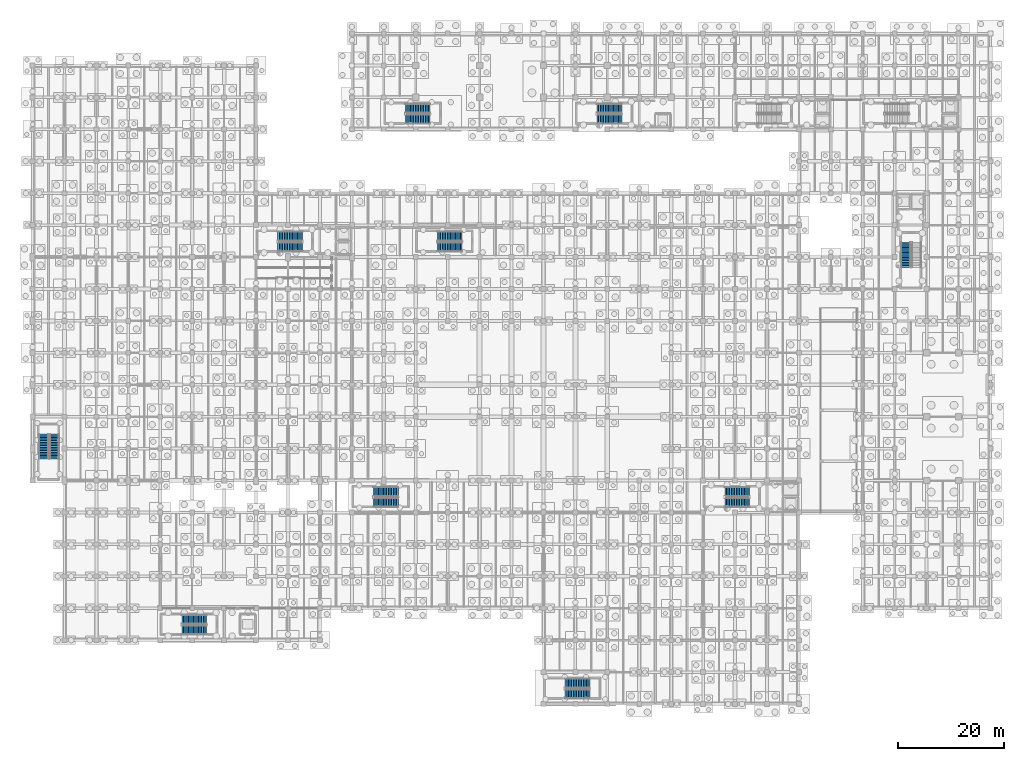
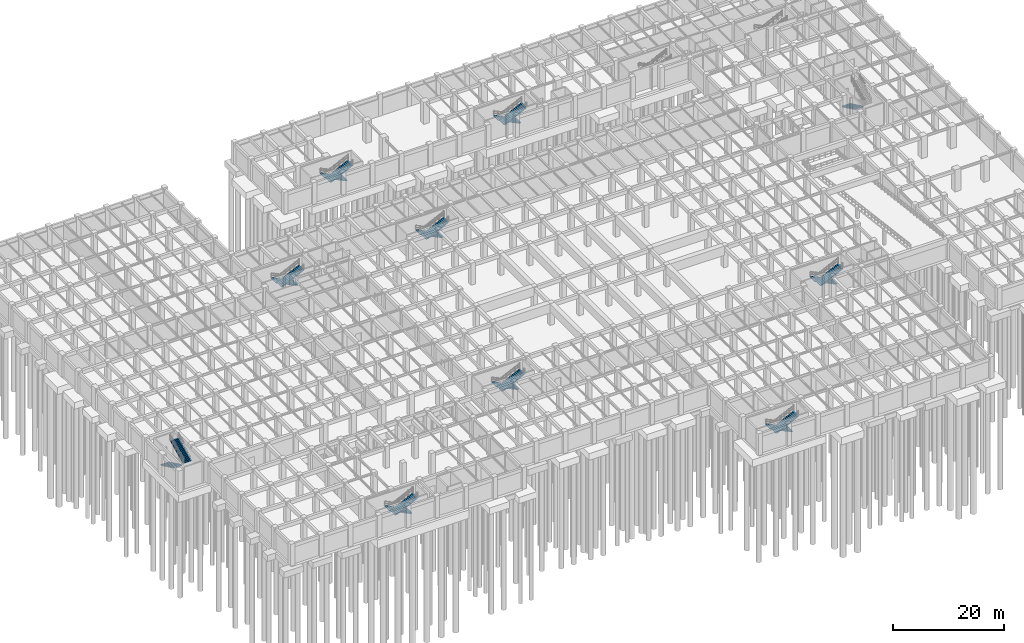
# One storey, part 46 of 54: 19 stair flights, 10 elements without a shape of their own.
"""IFC4 building model written with IfcOpenShell, lengths in metres."""

from ifc_helpers import new_model, si_unit, direction, frame, origin, place, context, subcontext, project, spatial, polyline, outline, extrude, material, type_object, element, aggregate, save


model = new_model("IFC4")

# Units and contexts
model_context = context("Model", 3, precision=1e-05, world=origin(), true_north=direction((0.0, 1.0)))
body_context = subcontext(model_context, "Body", "Model", "MODEL_VIEW")
ifc_project = project(units=[si_unit("LENGTHUNIT", "METRE"), si_unit("AREAUNIT", "SQUARE_METRE"), si_unit("VOLUMEUNIT", "CUBIC_METRE"), si_unit("PLANEANGLEUNIT", "RADIAN"), si_unit("MASSUNIT", "GRAM", prefix="KILO"), si_unit("THERMODYNAMICTEMPERATUREUNIT", "KELVIN"), si_unit("POWERUNIT", "WATT")], contexts=[model_context])

# Site, building, storey
site_placement = place(None, origin())
site = spatial("IfcSite", under=ifc_project, at=site_placement, CompositionType="ELEMENT")
building_placement = place(site_placement, origin())
building = spatial("IfcBuilding", under=site, at=building_placement, Name="Phaisarnlok Congress Hotel", CompositionType="ELEMENT")
storey_placement = place(building_placement, frame((0.0, 0.0, -4.800048828125)))
storey = spatial("IfcBuildingStorey", under=building, at=storey_placement, Name="B01", CompositionType="ELEMENT", Elevation=-4.800048828125)

# Stair, stair flights
ifc_material = material(Name="Concrete C40/50", Category="concrete")
stair_type = type_object("IfcStairType", Name="STR-DOG-01", PredefinedType="HALF_TURN_STAIR", material=ifc_material)
stair_1_placement = place(storey_placement, origin())
stair_1 = element("IfcStair", 1, at=stair_1_placement, inside=storey, type_object=stair_type, Name="B01 ST-01", PredefinedType="HALF_TURN_STAIR")
stair_flight_type = type_object("IfcStairFlightType", Name="SFL-RC-01", PredefinedType="STRAIGHT", material=ifc_material)
stair_flight_1_placement = place(storey_placement, frame((50.719970703125, 87.909912109375, 0.0), z_axis=(0.0, 0.0, 1.0), x_axis=(-1.0, 0.0, 0.0)))
stair_flight_1 = element("IfcStairFlight", 2, at=stair_flight_1_placement, type_object=stair_flight_type, Name="ST-01 flight 1", NumberOfRisers=16, NumberOfTreads=15, PredefinedType="STRAIGHT", RiserHeight=0.15, TreadLength=0.31, context=body_context, shape_type="SweptSolid", body=[
    extrude(outline(polyline([(0.0, 0.0), (0.0, 0.14990234375), (0.31005859375, 0.14990234375), (0.31005859375, 0.300048828125), (0.6201171875, 0.300048828125), (0.6201171875, 0.449951171875), (0.929931640625, 0.449951171875), (0.929931640625, 0.60009765625), (1.239990234375, 0.60009765625), (1.239990234375, 0.75), (1.550048828125, 0.75), (1.550048828125, 0.89990234375), (1.860107421875, 0.89990234375), (1.860107421875, 1.050048828125), (2.169921875, 1.050048828125), (2.169921875, 1.199951171875), (2.47998046875, 1.199951171875), (2.47998046875, 1.35009765625), (2.7900390625, 1.35009765625), (2.7900390625, 1.5), (3.10009765625, 1.5), (3.10009765625, 1.64990234375), (3.409912109375, 1.64990234375), (3.409912109375, 1.800048828125), (3.719970703125, 1.800048828125), (3.719970703125, 1.949951171875), (4.030029296875, 1.949951171875), (4.030029296875, 2.10009765625), (4.340087890625, 2.10009765625), (4.340087890625, 2.25), (4.64990234375, 2.25), (4.64990234375, 2.39990234375), (4.64990234375, 2.08349609375), (0.34423828125, 0.0), (0.0, 0.0)])), frame((0.0, 0.89013671875, 0.0), z_axis=(0.0, -1.0, 0.0), x_axis=(1.0, 0.0, 0.0)), (0.0, 0.0, 1.0), 1.780029296875),
])
stair_flight_2_placement = place(storey_placement, frame((46.070068359375, 85.889892578125, 2.400146484375), z_axis=(0.0, 0.0, 1.0), x_axis=(1.0, 0.0, 0.0)))
stair_flight_2 = element("IfcStairFlight", 3, at=stair_flight_2_placement, type_object=stair_flight_type, Name="ST-01 flight 2", NumberOfRisers=16, NumberOfTreads=15, PredefinedType="STRAIGHT", RiserHeight=0.15, TreadLength=0.31, context=body_context, shape_type="SweptSolid", body=[
    extrude(outline(polyline([(0.0, 0.0), (0.0, 0.14990234375), (0.31005859375, 0.14990234375), (0.31005859375, 0.300048828125), (0.6201171875, 0.300048828125), (0.6201171875, 0.449951171875), (0.929931640625, 0.449951171875), (0.929931640625, 0.60009765625), (1.239990234375, 0.60009765625), (1.239990234375, 0.75), (1.550048828125, 0.75), (1.550048828125, 0.89990234375), (1.860107421875, 0.89990234375), (1.860107421875, 1.050048828125), (2.169921875, 1.050048828125), (2.169921875, 1.199951171875), (2.47998046875, 1.199951171875), (2.47998046875, 1.35009765625), (2.7900390625, 1.35009765625), (2.7900390625, 1.5), (3.10009765625, 1.5), (3.10009765625, 1.64990234375), (3.409912109375, 1.64990234375), (3.409912109375, 1.800048828125), (3.719970703125, 1.800048828125), (3.719970703125, 1.949951171875), (4.030029296875, 1.949951171875), (4.030029296875, 2.10009765625), (4.340087890625, 2.10009765625), (4.340087890625, 2.25), (4.64990234375, 2.25), (4.64990234375, 2.39990234375), (4.64990234375, 2.08349609375), (0.34423828125, 0.0), (0.0, 0.0)])), frame((0.0, 0.89013671875, 0.0), z_axis=(0.0, -1.0, 0.0), x_axis=(1.0, 0.0, 0.0)), (0.0, 0.0, 1.0), 1.780029296875),
])
aggregate(stair_1, [stair_flight_1, stair_flight_2])

stair_2_placement = place(storey_placement, origin())
stair_2 = element("IfcStair", 4, at=stair_2_placement, inside=storey, type_object=stair_type, Name="B01 ST-02", PredefinedType="HALF_TURN_STAIR")
stair_flight_3_placement = place(storey_placement, frame((134.719970703125, 39.909912109375, 0.0), z_axis=(0.0, 0.0, 1.0), x_axis=(-1.0, 0.0, 0.0)))
stair_flight_3 = element("IfcStairFlight", 5, at=stair_flight_3_placement, type_object=stair_flight_type, Name="ST-02 flight 1", NumberOfRisers=16, NumberOfTreads=15, PredefinedType="STRAIGHT", RiserHeight=0.15, TreadLength=0.31, context=body_context, shape_type="SweptSolid", body=[
    extrude(outline(polyline([(0.0, 0.0), (0.0, 0.14990234375), (0.31005859375, 0.14990234375), (0.31005859375, 0.300048828125), (0.6201171875, 0.300048828125), (0.6201171875, 0.449951171875), (0.929931640625, 0.449951171875), (0.929931640625, 0.60009765625), (1.239990234375, 0.60009765625), (1.239990234375, 0.75), (1.550048828125, 0.75), (1.550048828125, 0.89990234375), (1.860107421875, 0.89990234375), (1.860107421875, 1.050048828125), (2.169921875, 1.050048828125), (2.169921875, 1.199951171875), (2.47998046875, 1.199951171875), (2.47998046875, 1.35009765625), (2.7900390625, 1.35009765625), (2.7900390625, 1.5), (3.10009765625, 1.5), (3.10009765625, 1.64990234375), (3.409912109375, 1.64990234375), (3.409912109375, 1.800048828125), (3.719970703125, 1.800048828125), (3.719970703125, 1.949951171875), (4.030029296875, 1.949951171875), (4.030029296875, 2.10009765625), (4.340087890625, 2.10009765625), (4.340087890625, 2.25), (4.64990234375, 2.25), (4.64990234375, 2.39990234375), (4.64990234375, 2.08349609375), (0.34423828125, 0.0), (0.0, 0.0)])), frame((0.0, 0.89013671875, 0.0), z_axis=(0.0, -1.0, 0.0), x_axis=(1.0, 0.0, 0.0)), (0.0, 0.0, 1.0), 1.780029296875),
])
stair_flight_4_placement = place(storey_placement, frame((130.070068359375, 37.889892578125, 2.400146484375), z_axis=(0.0, 0.0, 1.0), x_axis=(1.0, 0.0, 0.0)))
stair_flight_4 = element("IfcStairFlight", 6, at=stair_flight_4_placement, type_object=stair_flight_type, Name="ST-02 flight 2", NumberOfRisers=16, NumberOfTreads=15, PredefinedType="STRAIGHT", RiserHeight=0.15, TreadLength=0.31, context=body_context, shape_type="SweptSolid", body=[
    extrude(outline(polyline([(0.0, 0.0), (0.0, 0.14990234375), (0.31005859375, 0.14990234375), (0.31005859375, 0.300048828125), (0.6201171875, 0.300048828125), (0.6201171875, 0.449951171875), (0.929931640625, 0.449951171875), (0.929931640625, 0.60009765625), (1.239990234375, 0.60009765625), (1.239990234375, 0.75), (1.550048828125, 0.75), (1.550048828125, 0.89990234375), (1.860107421875, 0.89990234375), (1.860107421875, 1.050048828125), (2.169921875, 1.050048828125), (2.169921875, 1.199951171875), (2.47998046875, 1.199951171875), (2.47998046875, 1.35009765625), (2.7900390625, 1.35009765625), (2.7900390625, 1.5), (3.10009765625, 1.5), (3.10009765625, 1.64990234375), (3.409912109375, 1.64990234375), (3.409912109375, 1.800048828125), (3.719970703125, 1.800048828125), (3.719970703125, 1.949951171875), (4.030029296875, 1.949951171875), (4.030029296875, 2.10009765625), (4.340087890625, 2.10009765625), (4.340087890625, 2.25), (4.64990234375, 2.25), (4.64990234375, 2.39990234375), (4.64990234375, 2.08349609375), (0.34423828125, 0.0), (0.0, 0.0)])), frame((0.0, 0.89013671875, 0.0), z_axis=(0.0, -1.0, 0.0), x_axis=(1.0, 0.0, 0.0)), (0.0, 0.0, 1.0), 1.780029296875),
])
aggregate(stair_2, [stair_flight_3, stair_flight_4])

stair_3_placement = place(storey_placement, origin())
stair_3 = element("IfcStair", 7, at=stair_3_placement, inside=storey, type_object=stair_type, Name="B01 ST-03", PredefinedType="HALF_TURN_STAIR")
stair_flight_5_placement = place(storey_placement, frame((2.090087890625, 50.719970703125, 0.0), z_axis=(0.0, 0.0, 1.0), x_axis=(0.0, -1.0, 0.0)))
stair_flight_5 = element("IfcStairFlight", 8, at=stair_flight_5_placement, type_object=stair_flight_type, Name="ST-03 flight 1", NumberOfRisers=16, NumberOfTreads=15, PredefinedType="STRAIGHT", RiserHeight=0.15, TreadLength=0.31, context=body_context, shape_type="SweptSolid", body=[
    extrude(outline(polyline([(0.0, 0.0), (0.0, 0.14990234375), (0.31005859375, 0.14990234375), (0.31005859375, 0.300048828125), (0.6201171875, 0.300048828125), (0.6201171875, 0.449951171875), (0.929931640625, 0.449951171875), (0.929931640625, 0.60009765625), (1.239990234375, 0.60009765625), (1.239990234375, 0.75), (1.550048828125, 0.75), (1.550048828125, 0.89990234375), (1.860107421875, 0.89990234375), (1.860107421875, 1.050048828125), (2.169921875, 1.050048828125), (2.169921875, 1.199951171875), (2.47998046875, 1.199951171875), (2.47998046875, 1.35009765625), (2.7900390625, 1.35009765625), (2.7900390625, 1.5), (3.10009765625, 1.5), (3.10009765625, 1.64990234375), (3.409912109375, 1.64990234375), (3.409912109375, 1.800048828125), (3.719970703125, 1.800048828125), (3.719970703125, 1.949951171875), (4.030029296875, 1.949951171875), (4.030029296875, 2.10009765625), (4.340087890625, 2.10009765625), (4.340087890625, 2.25), (4.64990234375, 2.25), (4.64990234375, 2.39990234375), (4.64990234375, 2.08349609375), (0.34423828125, 0.0), (0.0, 0.0)])), frame((0.0, 0.89013671875, 0.0), z_axis=(0.0, -1.0, 0.0), x_axis=(1.0, 0.0, 0.0)), (0.0, 0.0, 1.0), 1.780029296875),
])
stair_flight_6_placement = place(storey_placement, frame((4.110107421875, 46.070068359375, 2.400146484375), z_axis=(0.0, 0.0, 1.0), x_axis=(0.0, 1.0, 0.0)))
stair_flight_6 = element("IfcStairFlight", 9, at=stair_flight_6_placement, type_object=stair_flight_type, Name="ST-03 flight 2", NumberOfRisers=16, NumberOfTreads=15, PredefinedType="STRAIGHT", RiserHeight=0.15, TreadLength=0.31, context=body_context, shape_type="SweptSolid", body=[
    extrude(outline(polyline([(0.0, 0.0), (0.0, 0.14990234375), (0.31005859375, 0.14990234375), (0.31005859375, 0.300048828125), (0.6201171875, 0.300048828125), (0.6201171875, 0.449951171875), (0.929931640625, 0.449951171875), (0.929931640625, 0.60009765625), (1.239990234375, 0.60009765625), (1.239990234375, 0.75), (1.550048828125, 0.75), (1.550048828125, 0.89990234375), (1.860107421875, 0.89990234375), (1.860107421875, 1.050048828125), (2.169921875, 1.050048828125), (2.169921875, 1.199951171875), (2.47998046875, 1.199951171875), (2.47998046875, 1.35009765625), (2.7900390625, 1.35009765625), (2.7900390625, 1.5), (3.10009765625, 1.5), (3.10009765625, 1.64990234375), (3.409912109375, 1.64990234375), (3.409912109375, 1.800048828125), (3.719970703125, 1.800048828125), (3.719970703125, 1.949951171875), (4.030029296875, 1.949951171875), (4.030029296875, 2.10009765625), (4.340087890625, 2.10009765625), (4.340087890625, 2.25), (4.64990234375, 2.25), (4.64990234375, 2.39990234375), (4.64990234375, 2.08349609375), (0.34423828125, 0.0), (0.0, 0.0)])), frame((0.0, 0.89013671875, 0.0), z_axis=(0.0, -1.0, 0.0), x_axis=(1.0, 0.0, 0.0)), (0.0, 0.0, 1.0), 1.780029296875),
])
aggregate(stair_3, [stair_flight_5, stair_flight_6])

stair_4_placement = place(storey_placement, origin())
stair_4 = element("IfcStair", 10, at=stair_4_placement, inside=storey, type_object=stair_type, Name="B01 ST-04", PredefinedType="HALF_TURN_STAIR")
stair_flight_7_placement = place(storey_placement, frame((104.719970703125, 3.909912109375, 0.0), z_axis=(0.0, 0.0, 1.0), x_axis=(-1.0, 0.0, 0.0)))
stair_flight_7 = element("IfcStairFlight", 11, at=stair_flight_7_placement, type_object=stair_flight_type, Name="ST-04 flight 1", NumberOfRisers=16, NumberOfTreads=15, PredefinedType="STRAIGHT", RiserHeight=0.15, TreadLength=0.31, context=body_context, shape_type="SweptSolid", body=[
    extrude(outline(polyline([(0.0, 0.0), (0.0, 0.14990234375), (0.31005859375, 0.14990234375), (0.31005859375, 0.300048828125), (0.6201171875, 0.300048828125), (0.6201171875, 0.449951171875), (0.929931640625, 0.449951171875), (0.929931640625, 0.60009765625), (1.239990234375, 0.60009765625), (1.239990234375, 0.75), (1.550048828125, 0.75), (1.550048828125, 0.89990234375), (1.860107421875, 0.89990234375), (1.860107421875, 1.050048828125), (2.169921875, 1.050048828125), (2.169921875, 1.199951171875), (2.47998046875, 1.199951171875), (2.47998046875, 1.35009765625), (2.7900390625, 1.35009765625), (2.7900390625, 1.5), (3.10009765625, 1.5), (3.10009765625, 1.64990234375), (3.409912109375, 1.64990234375), (3.409912109375, 1.800048828125), (3.719970703125, 1.800048828125), (3.719970703125, 1.949951171875), (4.030029296875, 1.949951171875), (4.030029296875, 2.10009765625), (4.340087890625, 2.10009765625), (4.340087890625, 2.25), (4.64990234375, 2.25), (4.64990234375, 2.39990234375), (4.64990234375, 2.08349609375), (0.34423828125, 0.0), (0.0, 0.0)])), frame((0.0, 0.89013671875, 0.0), z_axis=(0.0, -1.0, 0.0), x_axis=(1.0, 0.0, 0.0)), (0.0, 0.0, 1.0), 1.780029296875),
])
stair_flight_8_placement = place(storey_placement, frame((100.070068359375, 1.889892578125, 2.400146484375), z_axis=(0.0, 0.0, 1.0), x_axis=(1.0, 0.0, 0.0)))
stair_flight_8 = element("IfcStairFlight", 12, at=stair_flight_8_placement, type_object=stair_flight_type, Name="ST-04 flight 2", NumberOfRisers=16, NumberOfTreads=15, PredefinedType="STRAIGHT", RiserHeight=0.15, TreadLength=0.31, context=body_context, shape_type="SweptSolid", body=[
    extrude(outline(polyline([(0.0, 0.0), (0.0, 0.14990234375), (0.31005859375, 0.14990234375), (0.31005859375, 0.300048828125), (0.6201171875, 0.300048828125), (0.6201171875, 0.449951171875), (0.929931640625, 0.449951171875), (0.929931640625, 0.60009765625), (1.239990234375, 0.60009765625), (1.239990234375, 0.75), (1.550048828125, 0.75), (1.550048828125, 0.89990234375), (1.860107421875, 0.89990234375), (1.860107421875, 1.050048828125), (2.169921875, 1.050048828125), (2.169921875, 1.199951171875), (2.47998046875, 1.199951171875), (2.47998046875, 1.35009765625), (2.7900390625, 1.35009765625), (2.7900390625, 1.5), (3.10009765625, 1.5), (3.10009765625, 1.64990234375), (3.409912109375, 1.64990234375), (3.409912109375, 1.800048828125), (3.719970703125, 1.800048828125), (3.719970703125, 1.949951171875), (4.030029296875, 1.949951171875), (4.030029296875, 2.10009765625), (4.340087890625, 2.10009765625), (4.340087890625, 2.25), (4.64990234375, 2.25), (4.64990234375, 2.39990234375), (4.64990234375, 2.08349609375), (0.34423828125, 0.0), (0.0, 0.0)])), frame((0.0, 0.89013671875, 0.0), z_axis=(0.0, -1.0, 0.0), x_axis=(1.0, 0.0, 0.0)), (0.0, 0.0, 1.0), 1.780029296875),
])
aggregate(stair_4, [stair_flight_7, stair_flight_8])

stair_5_placement = place(storey_placement, origin())
stair_5 = element("IfcStair", 13, at=stair_5_placement, inside=storey, type_object=stair_type, Name="B01 ST-07", PredefinedType="HALF_TURN_STAIR")
stair_flight_9_placement = place(storey_placement, frame((110.719970703125, 111.909912109375, 0.0), z_axis=(0.0, 0.0, 1.0), x_axis=(-1.0, 0.0, 0.0)))
stair_flight_9 = element("IfcStairFlight", 14, at=stair_flight_9_placement, type_object=stair_flight_type, Name="ST-07 flight 1", NumberOfRisers=16, NumberOfTreads=15, PredefinedType="STRAIGHT", RiserHeight=0.15, TreadLength=0.31, context=body_context, shape_type="SweptSolid", body=[
    extrude(outline(polyline([(0.0, 0.0), (0.0, 0.14990234375), (0.31005859375, 0.14990234375), (0.31005859375, 0.300048828125), (0.6201171875, 0.300048828125), (0.6201171875, 0.449951171875), (0.929931640625, 0.449951171875), (0.929931640625, 0.60009765625), (1.239990234375, 0.60009765625), (1.239990234375, 0.75), (1.550048828125, 0.75), (1.550048828125, 0.89990234375), (1.860107421875, 0.89990234375), (1.860107421875, 1.050048828125), (2.169921875, 1.050048828125), (2.169921875, 1.199951171875), (2.47998046875, 1.199951171875), (2.47998046875, 1.35009765625), (2.7900390625, 1.35009765625), (2.7900390625, 1.5), (3.10009765625, 1.5), (3.10009765625, 1.64990234375), (3.409912109375, 1.64990234375), (3.409912109375, 1.800048828125), (3.719970703125, 1.800048828125), (3.719970703125, 1.949951171875), (4.030029296875, 1.949951171875), (4.030029296875, 2.10009765625), (4.340087890625, 2.10009765625), (4.340087890625, 2.25), (4.64990234375, 2.25), (4.64990234375, 2.39990234375), (4.64990234375, 2.08349609375), (0.34423828125, 0.0), (0.0, 0.0)])), frame((0.0, 0.89013671875, 0.0), z_axis=(0.0, -1.0, 0.0), x_axis=(1.0, 0.0, 0.0)), (0.0, 0.0, 1.0), 1.780029296875),
])
stair_flight_10_placement = place(storey_placement, frame((106.070068359375, 109.889892578125, 2.400146484375), z_axis=(0.0, 0.0, 1.0), x_axis=(1.0, 0.0, 0.0)))
stair_flight_10 = element("IfcStairFlight", 15, at=stair_flight_10_placement, type_object=stair_flight_type, Name="ST-07 flight 2", NumberOfRisers=16, NumberOfTreads=15, PredefinedType="STRAIGHT", RiserHeight=0.15, TreadLength=0.31, context=body_context, shape_type="SweptSolid", body=[
    extrude(outline(polyline([(0.0, 0.0), (0.0, 0.14990234375), (0.31005859375, 0.14990234375), (0.31005859375, 0.300048828125), (0.6201171875, 0.300048828125), (0.6201171875, 0.449951171875), (0.929931640625, 0.449951171875), (0.929931640625, 0.60009765625), (1.239990234375, 0.60009765625), (1.239990234375, 0.75), (1.550048828125, 0.75), (1.550048828125, 0.89990234375), (1.860107421875, 0.89990234375), (1.860107421875, 1.050048828125), (2.169921875, 1.050048828125), (2.169921875, 1.199951171875), (2.47998046875, 1.199951171875), (2.47998046875, 1.35009765625), (2.7900390625, 1.35009765625), (2.7900390625, 1.5), (3.10009765625, 1.5), (3.10009765625, 1.64990234375), (3.409912109375, 1.64990234375), (3.409912109375, 1.800048828125), (3.719970703125, 1.800048828125), (3.719970703125, 1.949951171875), (4.030029296875, 1.949951171875), (4.030029296875, 2.10009765625), (4.340087890625, 2.10009765625), (4.340087890625, 2.25), (4.64990234375, 2.25), (4.64990234375, 2.39990234375), (4.64990234375, 2.08349609375), (0.34423828125, 0.0), (0.0, 0.0)])), frame((0.0, 0.89013671875, 0.0), z_axis=(0.0, -1.0, 0.0), x_axis=(1.0, 0.0, 0.0)), (0.0, 0.0, 1.0), 1.780029296875),
])
aggregate(stair_5, [stair_flight_9, stair_flight_10])

stair_6_placement = place(storey_placement, origin())
stair_6 = element("IfcStair", 16, at=stair_6_placement, inside=storey, type_object=stair_type, Name="B01 ST-08", PredefinedType="HALF_TURN_STAIR")
stair_flight_11_placement = place(storey_placement, frame((32.719970703125, 15.909912109375, 0.0), z_axis=(0.0, 0.0, 1.0), x_axis=(-1.0, 0.0, 0.0)))
stair_flight_11 = element("IfcStairFlight", 17, at=stair_flight_11_placement, type_object=stair_flight_type, Name="ST-08 flight 1", NumberOfRisers=16, NumberOfTreads=15, PredefinedType="STRAIGHT", RiserHeight=0.15, TreadLength=0.31, context=body_context, shape_type="SweptSolid", body=[
    extrude(outline(polyline([(0.0, 0.0), (0.0, 0.14990234375), (0.31005859375, 0.14990234375), (0.31005859375, 0.300048828125), (0.6201171875, 0.300048828125), (0.6201171875, 0.449951171875), (0.929931640625, 0.449951171875), (0.929931640625, 0.60009765625), (1.239990234375, 0.60009765625), (1.239990234375, 0.75), (1.550048828125, 0.75), (1.550048828125, 0.89990234375), (1.860107421875, 0.89990234375), (1.860107421875, 1.050048828125), (2.169921875, 1.050048828125), (2.169921875, 1.199951171875), (2.47998046875, 1.199951171875), (2.47998046875, 1.35009765625), (2.7900390625, 1.35009765625), (2.7900390625, 1.5), (3.10009765625, 1.5), (3.10009765625, 1.64990234375), (3.409912109375, 1.64990234375), (3.409912109375, 1.800048828125), (3.719970703125, 1.800048828125), (3.719970703125, 1.949951171875), (4.030029296875, 1.949951171875), (4.030029296875, 2.10009765625), (4.340087890625, 2.10009765625), (4.340087890625, 2.25), (4.64990234375, 2.25), (4.64990234375, 2.39990234375), (4.64990234375, 2.08349609375), (0.34423828125, 0.0), (0.0, 0.0)])), frame((0.0, 0.89013671875, 0.0), z_axis=(0.0, -1.0, 0.0), x_axis=(1.0, 0.0, 0.0)), (0.0, 0.0, 1.0), 1.780029296875),
])
stair_flight_12_placement = place(storey_placement, frame((28.070068359375, 13.889892578125, 2.400146484375), z_axis=(0.0, 0.0, 1.0), x_axis=(1.0, 0.0, 0.0)))
stair_flight_12 = element("IfcStairFlight", 18, at=stair_flight_12_placement, type_object=stair_flight_type, Name="ST-08 flight 2", NumberOfRisers=16, NumberOfTreads=15, PredefinedType="STRAIGHT", RiserHeight=0.15, TreadLength=0.31, context=body_context, shape_type="SweptSolid", body=[
    extrude(outline(polyline([(0.0, 0.0), (0.0, 0.14990234375), (0.31005859375, 0.14990234375), (0.31005859375, 0.300048828125), (0.6201171875, 0.300048828125), (0.6201171875, 0.449951171875), (0.929931640625, 0.449951171875), (0.929931640625, 0.60009765625), (1.239990234375, 0.60009765625), (1.239990234375, 0.75), (1.550048828125, 0.75), (1.550048828125, 0.89990234375), (1.860107421875, 0.89990234375), (1.860107421875, 1.050048828125), (2.169921875, 1.050048828125), (2.169921875, 1.199951171875), (2.47998046875, 1.199951171875), (2.47998046875, 1.35009765625), (2.7900390625, 1.35009765625), (2.7900390625, 1.5), (3.10009765625, 1.5), (3.10009765625, 1.64990234375), (3.409912109375, 1.64990234375), (3.409912109375, 1.800048828125), (3.719970703125, 1.800048828125), (3.719970703125, 1.949951171875), (4.030029296875, 1.949951171875), (4.030029296875, 2.10009765625), (4.340087890625, 2.10009765625), (4.340087890625, 2.25), (4.64990234375, 2.25), (4.64990234375, 2.39990234375), (4.64990234375, 2.08349609375), (0.34423828125, 0.0), (0.0, 0.0)])), frame((0.0, 0.89013671875, 0.0), z_axis=(0.0, -1.0, 0.0), x_axis=(1.0, 0.0, 0.0)), (0.0, 0.0, 1.0), 1.780029296875),
])
aggregate(stair_6, [stair_flight_11, stair_flight_12])

# Stair, stair flight
stair_7_placement = place(storey_placement, origin())
stair_7 = element("IfcStair", 19, at=stair_7_placement, inside=storey, type_object=stair_type, Name="B01 ST-09", PredefinedType="HALF_TURN_STAIR")
stair_flight_13_placement = place(storey_placement, frame((164.090087890625, 86.719970703125, 0.0), z_axis=(0.0, 0.0, 1.0), x_axis=(0.0, -1.0, 0.0)))
stair_flight_13 = element("IfcStairFlight", 20, at=stair_flight_13_placement, type_object=stair_flight_type, Name="ST-09 flight 1", NumberOfRisers=16, NumberOfTreads=15, PredefinedType="STRAIGHT", RiserHeight=0.15, TreadLength=0.31, context=body_context, shape_type="SweptSolid", body=[
    extrude(outline(polyline([(0.0, 0.0), (0.0, 0.14990234375), (0.31005859375, 0.14990234375), (0.31005859375, 0.300048828125), (0.6201171875, 0.300048828125), (0.6201171875, 0.449951171875), (0.929931640625, 0.449951171875), (0.929931640625, 0.60009765625), (1.239990234375, 0.60009765625), (1.239990234375, 0.75), (1.550048828125, 0.75), (1.550048828125, 0.89990234375), (1.860107421875, 0.89990234375), (1.860107421875, 1.050048828125), (2.169921875, 1.050048828125), (2.169921875, 1.199951171875), (2.47998046875, 1.199951171875), (2.47998046875, 1.35009765625), (2.7900390625, 1.35009765625), (2.7900390625, 1.5), (3.10009765625, 1.5), (3.10009765625, 1.64990234375), (3.409912109375, 1.64990234375), (3.409912109375, 1.800048828125), (3.719970703125, 1.800048828125), (3.719970703125, 1.949951171875), (4.030029296875, 1.949951171875), (4.030029296875, 2.10009765625), (4.340087890625, 2.10009765625), (4.340087890625, 2.25), (4.64990234375, 2.25), (4.64990234375, 2.39990234375), (4.64990234375, 2.08349609375), (0.34423828125, 0.0), (0.0, 0.0)])), frame((0.0, 0.89013671875, 0.0), z_axis=(0.0, -1.0, 0.0), x_axis=(1.0, 0.0, 0.0)), (0.0, 0.0, 1.0), 1.780029296875),
])
aggregate(stair_7, [stair_flight_13])

# Stair, stair flights
stair_8_placement = place(storey_placement, origin())
stair_8 = element("IfcStair", 21, at=stair_8_placement, inside=storey, type_object=stair_type, Name="B01 ST-10", PredefinedType="HALF_TURN_STAIR")
stair_flight_14_placement = place(storey_placement, frame((74.719970703125, 111.909912109375, 0.0), z_axis=(0.0, 0.0, 1.0), x_axis=(-1.0, 0.0, 0.0)))
stair_flight_14 = element("IfcStairFlight", 22, at=stair_flight_14_placement, type_object=stair_flight_type, Name="ST-10 flight 1", NumberOfRisers=16, NumberOfTreads=15, PredefinedType="STRAIGHT", RiserHeight=0.15, TreadLength=0.31, context=body_context, shape_type="SweptSolid", body=[
    extrude(outline(polyline([(0.0, 0.0), (0.0, 0.14990234375), (0.31005859375, 0.14990234375), (0.31005859375, 0.300048828125), (0.6201171875, 0.300048828125), (0.6201171875, 0.449951171875), (0.929931640625, 0.449951171875), (0.929931640625, 0.60009765625), (1.239990234375, 0.60009765625), (1.239990234375, 0.75), (1.550048828125, 0.75), (1.550048828125, 0.89990234375), (1.860107421875, 0.89990234375), (1.860107421875, 1.050048828125), (2.169921875, 1.050048828125), (2.169921875, 1.199951171875), (2.47998046875, 1.199951171875), (2.47998046875, 1.35009765625), (2.7900390625, 1.35009765625), (2.7900390625, 1.5), (3.10009765625, 1.5), (3.10009765625, 1.64990234375), (3.409912109375, 1.64990234375), (3.409912109375, 1.800048828125), (3.719970703125, 1.800048828125), (3.719970703125, 1.949951171875), (4.030029296875, 1.949951171875), (4.030029296875, 2.10009765625), (4.340087890625, 2.10009765625), (4.340087890625, 2.25), (4.64990234375, 2.25), (4.64990234375, 2.39990234375), (4.64990234375, 2.08349609375), (0.34423828125, 0.0), (0.0, 0.0)])), frame((0.0, 0.89013671875, 0.0), z_axis=(0.0, -1.0, 0.0), x_axis=(1.0, 0.0, 0.0)), (0.0, 0.0, 1.0), 1.780029296875),
])
stair_flight_15_placement = place(storey_placement, frame((70.070068359375, 109.889892578125, 2.400146484375), z_axis=(0.0, 0.0, 1.0), x_axis=(1.0, 0.0, 0.0)))
stair_flight_15 = element("IfcStairFlight", 23, at=stair_flight_15_placement, type_object=stair_flight_type, Name="ST-10 flight 2", NumberOfRisers=16, NumberOfTreads=15, PredefinedType="STRAIGHT", RiserHeight=0.15, TreadLength=0.31, context=body_context, shape_type="SweptSolid", body=[
    extrude(outline(polyline([(0.0, 0.0), (0.0, 0.14990234375), (0.31005859375, 0.14990234375), (0.31005859375, 0.300048828125), (0.6201171875, 0.300048828125), (0.6201171875, 0.449951171875), (0.929931640625, 0.449951171875), (0.929931640625, 0.60009765625), (1.239990234375, 0.60009765625), (1.239990234375, 0.75), (1.550048828125, 0.75), (1.550048828125, 0.89990234375), (1.860107421875, 0.89990234375), (1.860107421875, 1.050048828125), (2.169921875, 1.050048828125), (2.169921875, 1.199951171875), (2.47998046875, 1.199951171875), (2.47998046875, 1.35009765625), (2.7900390625, 1.35009765625), (2.7900390625, 1.5), (3.10009765625, 1.5), (3.10009765625, 1.64990234375), (3.409912109375, 1.64990234375), (3.409912109375, 1.800048828125), (3.719970703125, 1.800048828125), (3.719970703125, 1.949951171875), (4.030029296875, 1.949951171875), (4.030029296875, 2.10009765625), (4.340087890625, 2.10009765625), (4.340087890625, 2.25), (4.64990234375, 2.25), (4.64990234375, 2.39990234375), (4.64990234375, 2.08349609375), (0.34423828125, 0.0), (0.0, 0.0)])), frame((0.0, 0.89013671875, 0.0), z_axis=(0.0, -1.0, 0.0), x_axis=(1.0, 0.0, 0.0)), (0.0, 0.0, 1.0), 1.780029296875),
])
aggregate(stair_8, [stair_flight_14, stair_flight_15])

stair_9_placement = place(storey_placement, origin())
stair_9 = element("IfcStair", 24, at=stair_9_placement, inside=storey, type_object=stair_type, Name="B01 ST-11", PredefinedType="HALF_TURN_STAIR")
stair_flight_16_placement = place(storey_placement, frame((80.719970703125, 87.909912109375, 0.0), z_axis=(0.0, 0.0, 1.0), x_axis=(-1.0, 0.0, 0.0)))
stair_flight_16 = element("IfcStairFlight", 25, at=stair_flight_16_placement, type_object=stair_flight_type, Name="ST-11 flight 1", NumberOfRisers=16, NumberOfTreads=15, PredefinedType="STRAIGHT", RiserHeight=0.15, TreadLength=0.31, context=body_context, shape_type="SweptSolid", body=[
    extrude(outline(polyline([(0.0, 0.0), (0.0, 0.14990234375), (0.31005859375, 0.14990234375), (0.31005859375, 0.300048828125), (0.6201171875, 0.300048828125), (0.6201171875, 0.449951171875), (0.929931640625, 0.449951171875), (0.929931640625, 0.60009765625), (1.239990234375, 0.60009765625), (1.239990234375, 0.75), (1.550048828125, 0.75), (1.550048828125, 0.89990234375), (1.860107421875, 0.89990234375), (1.860107421875, 1.050048828125), (2.169921875, 1.050048828125), (2.169921875, 1.199951171875), (2.47998046875, 1.199951171875), (2.47998046875, 1.35009765625), (2.7900390625, 1.35009765625), (2.7900390625, 1.5), (3.10009765625, 1.5), (3.10009765625, 1.64990234375), (3.409912109375, 1.64990234375), (3.409912109375, 1.800048828125), (3.719970703125, 1.800048828125), (3.719970703125, 1.949951171875), (4.030029296875, 1.949951171875), (4.030029296875, 2.10009765625), (4.340087890625, 2.10009765625), (4.340087890625, 2.25), (4.64990234375, 2.25), (4.64990234375, 2.39990234375), (4.64990234375, 2.08349609375), (0.34423828125, 0.0), (0.0, 0.0)])), frame((0.0, 0.89013671875, 0.0), z_axis=(0.0, -1.0, 0.0), x_axis=(1.0, 0.0, 0.0)), (0.0, 0.0, 1.0), 1.780029296875),
])
stair_flight_17_placement = place(storey_placement, frame((76.070068359375, 85.889892578125, 2.400146484375), z_axis=(0.0, 0.0, 1.0), x_axis=(1.0, 0.0, 0.0)))
stair_flight_17 = element("IfcStairFlight", 26, at=stair_flight_17_placement, type_object=stair_flight_type, Name="ST-11 flight 2", NumberOfRisers=16, NumberOfTreads=15, PredefinedType="STRAIGHT", RiserHeight=0.15, TreadLength=0.31, context=body_context, shape_type="SweptSolid", body=[
    extrude(outline(polyline([(0.0, 0.0), (0.0, 0.14990234375), (0.31005859375, 0.14990234375), (0.31005859375, 0.300048828125), (0.6201171875, 0.300048828125), (0.6201171875, 0.449951171875), (0.929931640625, 0.449951171875), (0.929931640625, 0.60009765625), (1.239990234375, 0.60009765625), (1.239990234375, 0.75), (1.550048828125, 0.75), (1.550048828125, 0.89990234375), (1.860107421875, 0.89990234375), (1.860107421875, 1.050048828125), (2.169921875, 1.050048828125), (2.169921875, 1.199951171875), (2.47998046875, 1.199951171875), (2.47998046875, 1.35009765625), (2.7900390625, 1.35009765625), (2.7900390625, 1.5), (3.10009765625, 1.5), (3.10009765625, 1.64990234375), (3.409912109375, 1.64990234375), (3.409912109375, 1.800048828125), (3.719970703125, 1.800048828125), (3.719970703125, 1.949951171875), (4.030029296875, 1.949951171875), (4.030029296875, 2.10009765625), (4.340087890625, 2.10009765625), (4.340087890625, 2.25), (4.64990234375, 2.25), (4.64990234375, 2.39990234375), (4.64990234375, 2.08349609375), (0.34423828125, 0.0), (0.0, 0.0)])), frame((0.0, 0.89013671875, 0.0), z_axis=(0.0, -1.0, 0.0), x_axis=(1.0, 0.0, 0.0)), (0.0, 0.0, 1.0), 1.780029296875),
])
aggregate(stair_9, [stair_flight_16, stair_flight_17])

stair_10_placement = place(storey_placement, origin())
stair_10 = element("IfcStair", 27, at=stair_10_placement, inside=storey, type_object=stair_type, Name="B01 ST-12", PredefinedType="HALF_TURN_STAIR")
stair_flight_18_placement = place(storey_placement, frame((68.719970703125, 39.909912109375, 0.0), z_axis=(0.0, 0.0, 1.0), x_axis=(-1.0, 0.0, 0.0)))
stair_flight_18 = element("IfcStairFlight", 28, at=stair_flight_18_placement, type_object=stair_flight_type, Name="ST-12 flight 1", NumberOfRisers=16, NumberOfTreads=15, PredefinedType="STRAIGHT", RiserHeight=0.15, TreadLength=0.31, context=body_context, shape_type="SweptSolid", body=[
    extrude(outline(polyline([(0.0, 0.0), (0.0, 0.14990234375), (0.31005859375, 0.14990234375), (0.31005859375, 0.300048828125), (0.6201171875, 0.300048828125), (0.6201171875, 0.449951171875), (0.929931640625, 0.449951171875), (0.929931640625, 0.60009765625), (1.239990234375, 0.60009765625), (1.239990234375, 0.75), (1.550048828125, 0.75), (1.550048828125, 0.89990234375), (1.860107421875, 0.89990234375), (1.860107421875, 1.050048828125), (2.169921875, 1.050048828125), (2.169921875, 1.199951171875), (2.47998046875, 1.199951171875), (2.47998046875, 1.35009765625), (2.7900390625, 1.35009765625), (2.7900390625, 1.5), (3.10009765625, 1.5), (3.10009765625, 1.64990234375), (3.409912109375, 1.64990234375), (3.409912109375, 1.800048828125), (3.719970703125, 1.800048828125), (3.719970703125, 1.949951171875), (4.030029296875, 1.949951171875), (4.030029296875, 2.10009765625), (4.340087890625, 2.10009765625), (4.340087890625, 2.25), (4.64990234375, 2.25), (4.64990234375, 2.39990234375), (4.64990234375, 2.08349609375), (0.34423828125, 0.0), (0.0, 0.0)])), frame((0.0, 0.89013671875, 0.0), z_axis=(0.0, -1.0, 0.0), x_axis=(1.0, 0.0, 0.0)), (0.0, 0.0, 1.0), 1.780029296875),
])
stair_flight_19_placement = place(storey_placement, frame((64.070068359375, 37.889892578125, 2.400146484375), z_axis=(0.0, 0.0, 1.0), x_axis=(1.0, 0.0, 0.0)))
stair_flight_19 = element("IfcStairFlight", 29, at=stair_flight_19_placement, type_object=stair_flight_type, Name="ST-12 flight 2", NumberOfRisers=16, NumberOfTreads=15, PredefinedType="STRAIGHT", RiserHeight=0.15, TreadLength=0.31, context=body_context, shape_type="SweptSolid", body=[
    extrude(outline(polyline([(0.0, 0.0), (0.0, 0.14990234375), (0.31005859375, 0.14990234375), (0.31005859375, 0.300048828125), (0.6201171875, 0.300048828125), (0.6201171875, 0.449951171875), (0.929931640625, 0.449951171875), (0.929931640625, 0.60009765625), (1.239990234375, 0.60009765625), (1.239990234375, 0.75), (1.550048828125, 0.75), (1.550048828125, 0.89990234375), (1.860107421875, 0.89990234375), (1.860107421875, 1.050048828125), (2.169921875, 1.050048828125), (2.169921875, 1.199951171875), (2.47998046875, 1.199951171875), (2.47998046875, 1.35009765625), (2.7900390625, 1.35009765625), (2.7900390625, 1.5), (3.10009765625, 1.5), (3.10009765625, 1.64990234375), (3.409912109375, 1.64990234375), (3.409912109375, 1.800048828125), (3.719970703125, 1.800048828125), (3.719970703125, 1.949951171875), (4.030029296875, 1.949951171875), (4.030029296875, 2.10009765625), (4.340087890625, 2.10009765625), (4.340087890625, 2.25), (4.64990234375, 2.25), (4.64990234375, 2.39990234375), (4.64990234375, 2.08349609375), (0.34423828125, 0.0), (0.0, 0.0)])), frame((0.0, 0.89013671875, 0.0), z_axis=(0.0, -1.0, 0.0), x_axis=(1.0, 0.0, 0.0)), (0.0, 0.0, 1.0), 1.780029296875),
])
aggregate(stair_10, [stair_flight_18, stair_flight_19])

save(model, "model.ifc")
